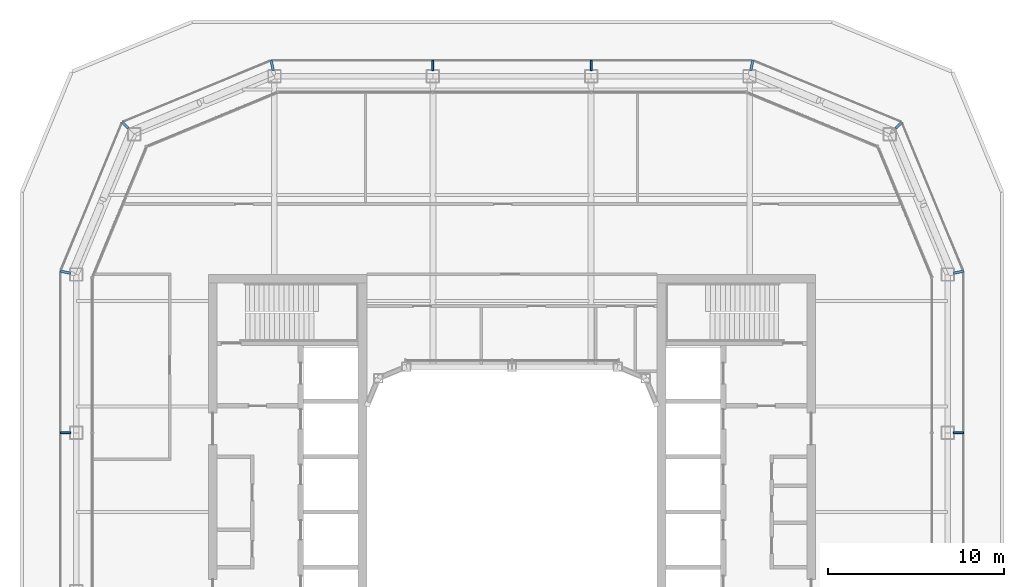
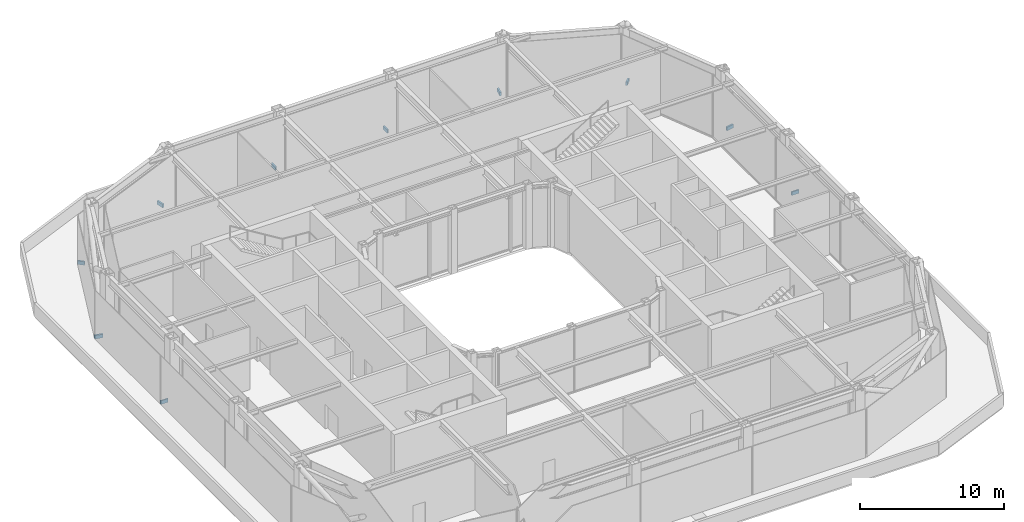
# One storey, part 13 of 17: 10 discrete accessories.
"""IFC4 building model written with IfcOpenShell, lengths in metres."""

from ifc_helpers import new_model, si_unit, direction, frame, origin, origin_2d, place, context, subcontext, project, spatial, rectangle, extrude, material, type_object, element, save


model = new_model("IFC4")

# Units and contexts
model_context = context("Model", 3, precision=1e-05, world=origin(), true_north=direction((0.0, 1.0)))
body_context = subcontext(model_context, "Body", "Model", "MODEL_VIEW")
ifc_project = project(units=[si_unit("LENGTHUNIT", "METRE"), si_unit("AREAUNIT", "SQUARE_METRE"), si_unit("VOLUMEUNIT", "CUBIC_METRE"), si_unit("PLANEANGLEUNIT", "RADIAN"), si_unit("MASSUNIT", "GRAM", prefix="KILO")], contexts=[model_context])

# Site, building, storey
site_placement = place(None, origin())
site = spatial("IfcSite", under=ifc_project, at=site_placement, CompositionType="ELEMENT")
building_placement = place(site_placement, origin())
building = spatial("IfcBuilding", under=site, at=building_placement, Name="Siwar Civic Tower", CompositionType="ELEMENT")
storey_placement = place(building_placement, frame((0.0, 0.0, 284.199951171875)))
storey = spatial("IfcBuildingStorey", under=building, at=storey_placement, Name="L61", CompositionType="ELEMENT", Elevation=284.199951171875)

# Discrete accessories
ifc_material = material(Name="Stainless steel 316", Category="steel")
discrete_accessory_type = type_object("IfcDiscreteAccessoryType", Name="ENV-BRACKET", PredefinedType="BRACKET", material=ifc_material)
for number, where, z_axis, x_axis, name in (
    (1, (25.364990234375, 4.5, 0.0), (0.0, 0.0, 1.0), (1.0, 0.0, 0.0), "Bracket outer skin joint E-02"),
    (2, (4.5, 25.364990234375, 0.0), (0.0, 0.0, 1.0), (0.0, 1.0, 0.0), "Bracket outer skin joint N-01"),
    (3, (-4.5, 25.364990234375, 0.0), (0.0, 0.0, 1.0), (0.0, 1.0, 0.0), "Bracket outer skin joint N-02"),
):
    element("IfcDiscreteAccessory", number, at=place(storey_placement, frame(where, z_axis=z_axis, x_axis=x_axis)), inside=storey, type_object=discrete_accessory_type, Name=name, PredefinedType="BRACKET", context=body_context, shape_type="SweptSolid", body=[
        extrude(rectangle(XDim=0.570068359375, YDim=0.10009765625, at=origin_2d()), origin(), (0.0, 0.0, 1.0), 0.300048828125),
    ])
discrete_accessory_1_placement = place(storey_placement, frame((25.365234375, 13.622314453125, 0.0), z_axis=(0.0, 0.0, 1.0), x_axis=(0.980785280403, 0.195090322016, 0.0)))
element("IfcDiscreteAccessory", 4, at=discrete_accessory_1_placement, inside=storey, type_object=discrete_accessory_type, Name="Bracket outer skin joint V04", PredefinedType="BRACKET", context=body_context, shape_type="SweptSolid", body=[
    extrude(rectangle(XDim=0.580810546875, YDim=0.13720703125, at=origin_2d()), origin(), (0.0, 0.0, 1.0), 0.300048828125),
])
discrete_accessory_2_placement = place(storey_placement, frame((21.96728515625, 21.96728515625, 0.0), z_axis=(0.0, 0.0, 1.0), x_axis=(0.707106781187, 0.707106781187, 0.0)))
element("IfcDiscreteAccessory", 5, at=discrete_accessory_2_placement, inside=storey, type_object=discrete_accessory_type, Name="Bracket outer skin joint V05", PredefinedType="BRACKET", context=body_context, shape_type="SweptSolid", body=[
    extrude(rectangle(XDim=0.499267578125, YDim=0.12939453125, at=origin_2d()), origin(), (0.0, 0.0, 1.0), 0.300048828125),
])
for number, where, z_axis, x_axis, name in (
    (6, (13.622314453125, 25.365234375, 0.0), (0.0, 0.0, 1.0), (0.195090322016, 0.980785280403, 0.0), "Bracket outer skin joint V06"),
    (7, (-13.622314453125, 25.365234375, 0.0), (0.0, 0.0, 1.0), (-0.195090322016, 0.980785280403, 0.0), "Bracket outer skin joint V07"),
):
    element("IfcDiscreteAccessory", number, at=place(storey_placement, frame(where, z_axis=z_axis, x_axis=x_axis)), inside=storey, type_object=discrete_accessory_type, Name=name, PredefinedType="BRACKET", context=body_context, shape_type="SweptSolid", body=[
        extrude(rectangle(XDim=0.580810546875, YDim=0.13720703125, at=origin_2d()), origin(), (0.0, 0.0, 1.0), 0.300048828125),
    ])
discrete_accessory_3_placement = place(storey_placement, frame((-21.96728515625, 21.96728515625, 0.0), z_axis=(0.0, 0.0, 1.0), x_axis=(-0.707106781187, 0.707106781187, 0.0)))
element("IfcDiscreteAccessory", 8, at=discrete_accessory_3_placement, inside=storey, type_object=discrete_accessory_type, Name="Bracket outer skin joint V08", PredefinedType="BRACKET", context=body_context, shape_type="SweptSolid", body=[
    extrude(rectangle(XDim=0.499267578125, YDim=0.12939453125, at=origin_2d()), origin(), (0.0, 0.0, 1.0), 0.300048828125),
])
discrete_accessory_4_placement = place(storey_placement, frame((-25.365234375, 13.622314453125, 0.0), z_axis=(0.0, 0.0, 1.0), x_axis=(-0.980785280403, 0.195090322016, 0.0)))
element("IfcDiscreteAccessory", 9, at=discrete_accessory_4_placement, inside=storey, type_object=discrete_accessory_type, Name="Bracket outer skin joint V09", PredefinedType="BRACKET", context=body_context, shape_type="SweptSolid", body=[
    extrude(rectangle(XDim=0.580810546875, YDim=0.13720703125, at=origin_2d()), origin(), (0.0, 0.0, 1.0), 0.300048828125),
])
discrete_accessory_5_placement = place(storey_placement, frame((-25.364990234375, 4.5, 0.0), z_axis=(0.0, 0.0, 1.0), x_axis=(-1.0, 0.0, 0.0)))
element("IfcDiscreteAccessory", 10, at=discrete_accessory_5_placement, inside=storey, type_object=discrete_accessory_type, Name="Bracket outer skin joint W-01", PredefinedType="BRACKET", context=body_context, shape_type="SweptSolid", body=[
    extrude(rectangle(XDim=0.570068359375, YDim=0.10009765625, at=origin_2d()), origin(), (0.0, 0.0, 1.0), 0.300048828125),
])

save(model, "model.ifc")
